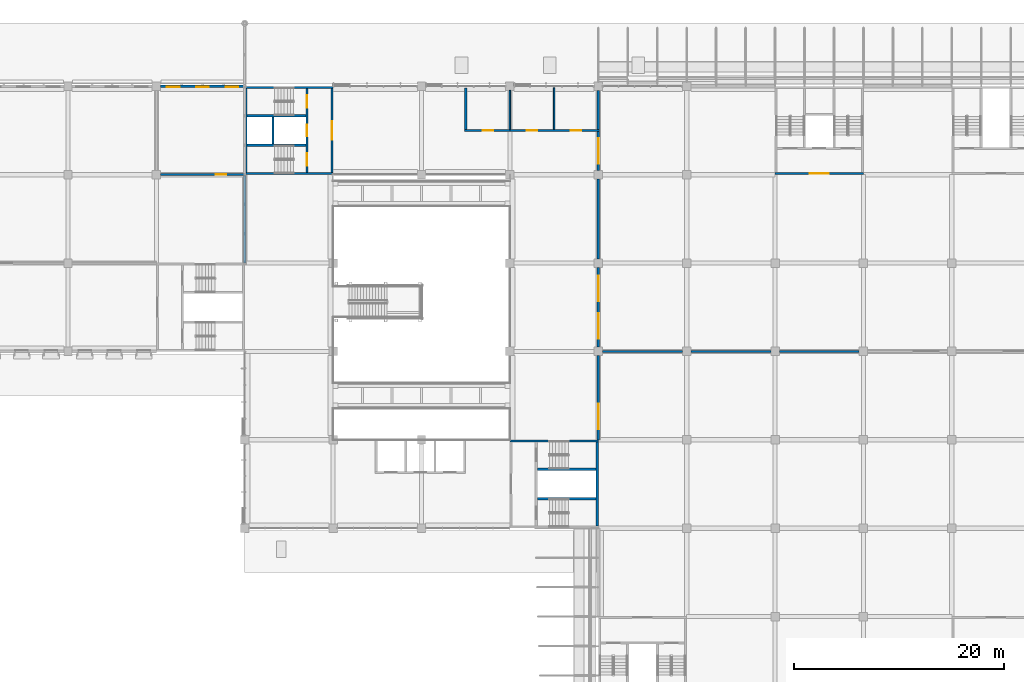
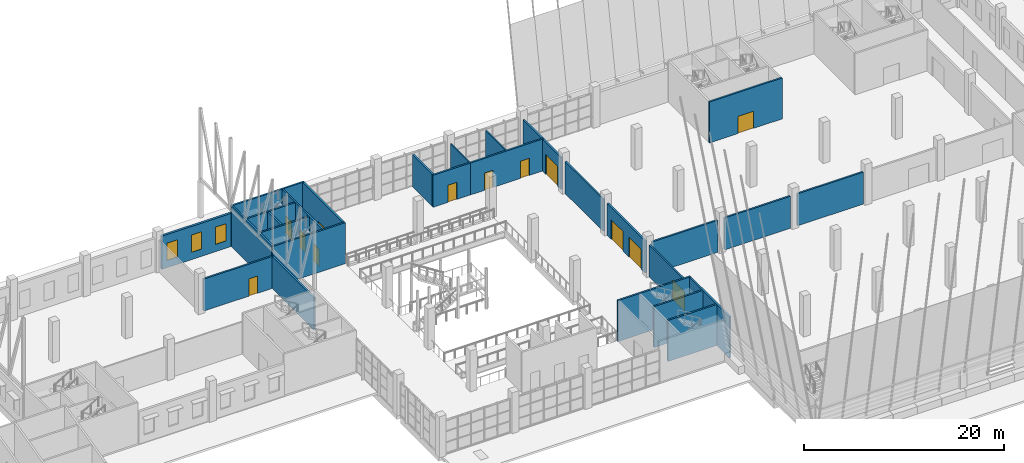
# One storey, part 37 of 101: 29 walls, 13 doors, 3 windows, 16 openings.
"""IFC4 building model written with IfcOpenShell, lengths in metres."""

from ifc_helpers import new_model, si_unit, direction, frame, frame_2d, origin, place, context, subcontext, project, spatial, rectangle, extrude, material, layer, layer_set, type_object, element, fill, save


model = new_model("IFC4")

# Units and contexts
model_context = context("Model", 3, precision=1e-05, world=origin(), true_north=direction((0.0, 1.0)))
body_context = subcontext(model_context, "Body", "Model", "MODEL_VIEW")
ifc_project = project(units=[si_unit("LENGTHUNIT", "METRE"), si_unit("AREAUNIT", "SQUARE_METRE"), si_unit("VOLUMEUNIT", "CUBIC_METRE"), si_unit("PLANEANGLEUNIT", "RADIAN"), si_unit("MASSUNIT", "GRAM", prefix="KILO")], contexts=[model_context])

# Site, building, storey
site_placement = place(None, origin())
site = spatial("IfcSite", under=ifc_project, at=site_placement, CompositionType="ELEMENT")
building_placement = place(site_placement, origin())
building = spatial("IfcBuilding", under=site, at=building_placement, Name="Almond Square Museum", CompositionType="ELEMENT")
storey_placement = place(building_placement, frame((0.0, 0.0, 5.5)))
storey = spatial("IfcBuildingStorey", under=building, at=storey_placement, Name="L01", CompositionType="ELEMENT", Elevation=5.5)

# Wall, opening, door
ifc_material_1 = material(Name="Concrete blockwork 200", Category="masonry")
ifc_layer_1 = layer(ifc_material_1, 0.199951171875)
ifc_layer_set_1 = layer_set([ifc_layer_1], Name="Concrete blockwork 200")
wall_type_1 = type_object("IfcWallType", Name="Fire partition 200 blockwork", PredefinedType="PARTITIONING", material=ifc_layer_set_1)
wall_1_placement = place(storey_placement, frame((65.199951171875, 100.800048828125, 0.0), z_axis=(0.0, 0.0, 1.0), x_axis=(1.0, 0.0, 0.0)))
wall_1 = element("IfcWall", 1, at=wall_1_placement, inside=storey, type_object=wall_type_1, Name="L01 partition 1", PredefinedType="PARTITIONING", context=body_context, shape_type="SweptSolid", body=[
    extrude(rectangle(XDim=8.10009765625, YDim=0.199951171875, at=frame_2d((4.050048828125, 0.0))), origin(), (0.0, 0.0, 1.0), 3.89990234375),
])
opening_1_placement = place(wall_1_placement, frame((5.22509765625, 0.0, 0.0)))
opening_1 = element("IfcOpeningElement", 2, at=opening_1_placement, cuts=wall_1, Name="Opening D1101", PredefinedType="OPENING", context=body_context, shape_type="SweptSolid", body=[
    extrude(rectangle(XDim=1.0, YDim=2.10009765625, at=frame_2d((0.5, 1.050048828125))), frame((0.0, 0.10986328125, 0.0), z_axis=(0.0, -1.0, 0.0), x_axis=(1.0, 0.0, 0.0)), (0.0, 0.0, 1.0), 0.219970703125),
])
ifc_material_2 = material(Name="Steel", Category="steel")
door_type_1 = type_object("IfcDoorType", Name="Fire door 1000 x 2100 FD60 single", OperationType="NOTDEFINED", PredefinedType="DOOR", material=ifc_material_2)
door_1_placement = place(opening_1_placement, origin())
door_1 = element("IfcDoor", 3, at=door_1_placement, inside=storey, type_object=door_type_1, Name="L01 door Court Cafe Kitchen to Court Cafe", OperationType="SINGLE_SWING_LEFT", OverallHeight=2.10009765625, OverallWidth=1.0, PredefinedType="DOOR", context=body_context, shape_type="SweptSolid", body=[
    extrude(rectangle(XDim=1.0, YDim=2.10009765625, at=frame_2d((0.5, 1.050048828125))), frame((0.0, 0.02490234375, 0.0), z_axis=(0.0, -1.0, 0.0), x_axis=(1.0, 0.0, 0.0)), (0.0, 0.0, 1.0), 0.050048828125),
])
fill(opening_1, door_1)

# Wall
wall_2_placement = place(storey_placement, frame((94.199951171875, 105.10009765625, 0.0), z_axis=(0.0, 0.0, 1.0), x_axis=(0.0, 1.0, 0.0)))
element("IfcWall", 4, at=wall_2_placement, inside=storey, type_object=wall_type_1, Name="L01 partition 3", PredefinedType="PARTITIONING", context=body_context, shape_type="SweptSolid", body=[
    extrude(rectangle(XDim=3.949951171875, YDim=0.199951171875, at=frame_2d((1.97509765625, 0.0))), origin(), (0.0, 0.0, 1.0), 3.89990234375),
])

# Wall, opening, door
wall_3_placement = place(storey_placement, frame((94.10009765625, 105.0, 0.0), z_axis=(0.0, 0.0, 1.0), x_axis=(1.0, 0.0, 0.0)))
wall_3 = element("IfcWall", 5, at=wall_3_placement, inside=storey, type_object=wall_type_1, Name="L01 partition 4", PredefinedType="PARTITIONING", context=body_context, shape_type="SweptSolid", body=[
    extrude(rectangle(XDim=4.2998046875, YDim=0.199951171875, at=frame_2d((2.14990234375, 0.0))), origin(), (0.0, 0.0, 1.0), 3.89990234375),
])
opening_2_placement = place(wall_3_placement, frame((1.71240234375, 0.0, 0.0)))
opening_2 = element("IfcOpeningElement", 6, at=opening_2_placement, cuts=wall_3, Name="Opening D1102", PredefinedType="OPENING", context=body_context, shape_type="SweptSolid", body=[
    extrude(rectangle(XDim=1.0, YDim=2.10009765625, at=frame_2d((0.5, 1.050048828125))), frame((0.0, 0.10986328125, 0.0), z_axis=(0.0, -1.0, 0.0), x_axis=(1.0, 0.0, 0.0)), (0.0, 0.0, 1.0), 0.219970703125),
])
door_2_placement = place(opening_2_placement, origin())
door_2 = element("IfcDoor", 7, at=door_2_placement, inside=storey, type_object=door_type_1, Name="L01 door Women's WC 1 to Atrium Rim Lobby 1", OperationType="SINGLE_SWING_LEFT", OverallHeight=2.10009765625, OverallWidth=1.0, PredefinedType="DOOR", context=body_context, shape_type="SweptSolid", body=[
    extrude(rectangle(XDim=1.0, YDim=2.10009765625, at=frame_2d((0.5, 1.050048828125))), frame((0.0, 0.02490234375, 0.0), z_axis=(0.0, -1.0, 0.0), x_axis=(1.0, 0.0, 0.0)), (0.0, 0.0, 1.0), 0.050048828125),
])
fill(opening_2, door_2)

# Wall, openings, doors
wall_4_placement = place(storey_placement, frame((98.39990234375, 105.0, 0.0), z_axis=(0.0, 0.0, 1.0), x_axis=(1.0, 0.0, 0.0)))
wall_4 = element("IfcWall", 8, at=wall_4_placement, inside=storey, type_object=wall_type_1, Name="L01 partition 5", PredefinedType="PARTITIONING", context=body_context, shape_type="SweptSolid", body=[
    extrude(rectangle(XDim=8.5, YDim=0.199951171875, at=frame_2d((4.25, 0.0))), origin(), (0.0, 0.0, 1.0), 3.89990234375),
])
opening_3_placement = place(wall_4_placement, frame((1.60009765625, 0.0, 0.0)))
opening_3 = element("IfcOpeningElement", 9, at=opening_3_placement, cuts=wall_4, Name="Opening D1103", PredefinedType="OPENING", context=body_context, shape_type="SweptSolid", body=[
    extrude(rectangle(XDim=1.0, YDim=2.10009765625, at=frame_2d((0.5, 1.050048828125))), frame((0.0, 0.10986328125, 0.0), z_axis=(0.0, -1.0, 0.0), x_axis=(1.0, 0.0, 0.0)), (0.0, 0.0, 1.0), 0.219970703125),
])
opening_4_placement = place(wall_4_placement, frame((5.78759765625, 0.0, 0.0)))
opening_4 = element("IfcOpeningElement", 10, at=opening_4_placement, cuts=wall_4, Name="Opening D1104", PredefinedType="OPENING", context=body_context, shape_type="SweptSolid", body=[
    extrude(rectangle(XDim=1.0, YDim=2.10009765625, at=frame_2d((0.5, 1.050048828125))), frame((0.0, 0.10986328125, 0.0), z_axis=(0.0, -1.0, 0.0), x_axis=(1.0, 0.0, 0.0)), (0.0, 0.0, 1.0), 0.219970703125),
])
door_3_placement = place(opening_3_placement, origin())
door_3 = element("IfcDoor", 11, at=door_3_placement, inside=storey, type_object=door_type_1, Name="L01 door Men's WC 1 to Atrium Rim Lobby 1", OperationType="SINGLE_SWING_RIGHT", OverallHeight=2.10009765625, OverallWidth=1.0, PredefinedType="DOOR", context=body_context, shape_type="SweptSolid", body=[
    extrude(rectangle(XDim=1.0, YDim=2.10009765625, at=frame_2d((0.5, 1.050048828125))), frame((0.0, 0.02490234375, 0.0), z_axis=(0.0, -1.0, 0.0), x_axis=(1.0, 0.0, 0.0)), (0.0, 0.0, 1.0), 0.050048828125),
])
fill(opening_3, door_3)
door_4_placement = place(opening_4_placement, origin())
door_4 = element("IfcDoor", 12, at=door_4_placement, inside=storey, type_object=door_type_1, Name="L01 door Accessible WC 1 to Atrium Rim Lobby 1", OperationType="SINGLE_SWING_LEFT", OverallHeight=2.10009765625, OverallWidth=1.0, PredefinedType="DOOR", context=body_context, shape_type="SweptSolid", body=[
    extrude(rectangle(XDim=1.0, YDim=2.10009765625, at=frame_2d((0.5, 1.050048828125))), frame((0.0, 0.02490234375, 0.0), z_axis=(0.0, -1.0, 0.0), x_axis=(1.0, 0.0, 0.0)), (0.0, 0.0, 1.0), 0.050048828125),
])
fill(opening_4, door_4)

# Wall, opening, door
wall_5_placement = place(storey_placement, frame((106.800048828125, 101.199951171875, 0.0), z_axis=(0.0, 0.0, 1.0), x_axis=(0.0, 1.0, 0.0)))
wall_5 = element("IfcWall", 13, at=wall_5_placement, inside=storey, type_object=wall_type_1, Name="L01 partition 6", PredefinedType="PARTITIONING", context=body_context, shape_type="SweptSolid", body=[
    extrude(rectangle(XDim=3.699951171875, YDim=0.199951171875, at=frame_2d((1.85009765625, 0.0))), origin(), (0.0, 0.0, 1.0), 3.89990234375),
])
opening_5_placement = place(wall_5_placement, frame((0.64990234375, 0.0, 0.0)))
opening_5 = element("IfcOpeningElement", 14, at=opening_5_placement, cuts=wall_5, Name="Opening D1141", PredefinedType="OPENING", context=body_context, shape_type="SweptSolid", body=[
    extrude(rectangle(XDim=2.39990234375, YDim=2.39990234375, at=frame_2d((1.199951171875, 1.199951171875))), frame((0.0, 0.10986328125, 0.0), z_axis=(0.0, -1.0, 0.0), x_axis=(1.0, 0.0, 0.0)), (0.0, 0.0, 1.0), 0.219970703125),
])
ifc_material_3 = material(Name="Steel", Category="steel")
door_type_2 = type_object("IfcDoorType", Name="Fire door 2400 x 2400 FD60 double", OperationType="NOTDEFINED", PredefinedType="DOOR", material=ifc_material_3)
door_5_placement = place(opening_5_placement, origin())
door_5 = element("IfcDoor", 15, at=door_5_placement, inside=storey, type_object=door_type_2, Name="L01 door Atrium Rim Lobby 1 to Textile Gallery", OperationType="DOUBLE_DOOR_SINGLE_SWING", OverallHeight=2.39990234375, OverallWidth=2.39990234375, PredefinedType="DOOR", context=body_context, shape_type="SweptSolid", body=[
    extrude(rectangle(XDim=2.39990234375, YDim=2.39990234375, at=frame_2d((1.199951171875, 1.199951171875))), frame((0.0, 0.02490234375, 0.0), z_axis=(0.0, -1.0, 0.0), x_axis=(1.0, 0.0, 0.0)), (0.0, 0.0, 1.0), 0.050048828125),
])
fill(opening_5, door_5)

# Walls
ifc_material_4 = material(Name="Painted gypsum board on steel stud", Category="steel")
ifc_layer_2 = layer(ifc_material_4, 0.199951171875)
ifc_layer_set_2 = layer_set([ifc_layer_2], Name="Painted gypsum board on steel stud")
wall_type_2 = type_object("IfcWallType", Name="Gallery wall 200 painted board on stud", PredefinedType="PARTITIONING", material=ifc_layer_set_2)
wall_6_placement = place(storey_placement, frame((106.800048828125, 105.10009765625, 0.0), z_axis=(0.0, 0.0, 1.0), x_axis=(0.0, 1.0, 0.0)))
element("IfcWall", 16, at=wall_6_placement, inside=storey, type_object=wall_type_2, Name="L01 partition 9", PredefinedType="PARTITIONING", context=body_context, shape_type="SweptSolid", body=[
    extrude(rectangle(XDim=3.699951171875, YDim=0.199951171875, at=frame_2d((1.85009765625, 0.0))), origin(), (0.0, 0.0, 1.0), 3.89990234375),
])
wall_7_placement = place(storey_placement, frame((73.199951171875, 92.39990234375, 0.0), z_axis=(0.0, 0.0, 1.0), x_axis=(0.0, 1.0, 0.0)))
element("IfcWall", 17, at=wall_7_placement, inside=storey, type_object=wall_type_2, Name="L01 partition 12", PredefinedType="PARTITIONING", context=body_context, shape_type="SweptSolid", body=[
    extrude(rectangle(XDim=8.300048828125, YDim=0.199951171875, at=frame_2d((4.14990234375, 0.0))), origin(), (0.0, 0.0, 1.0), 3.89990234375),
])

# Wall, openings, doors
wall_8_placement = place(storey_placement, frame((106.800048828125, 84.39990234375, 0.0), z_axis=(0.0, 0.0, 1.0), x_axis=(0.0, 1.0, 0.0)))
wall_8 = element("IfcWall", 18, at=wall_8_placement, inside=storey, type_object=wall_type_2, Name="L01 partition 19", PredefinedType="PARTITIONING", context=body_context, shape_type="SweptSolid", body=[
    extrude(rectangle(XDim=7.60009765625, YDim=0.199951171875, at=frame_2d((3.800048828125, 0.0))), origin(), (0.0, 0.0, 1.0), 3.89990234375),
])
opening_6_placement = place(wall_8_placement, frame((0.824951171875, 0.0, 0.0)))
opening_6 = element("IfcOpeningElement", 19, at=opening_6_placement, cuts=wall_8, Name="Opening D1144", PredefinedType="OPENING", context=body_context, shape_type="SweptSolid", body=[
    extrude(rectangle(XDim=2.39990234375, YDim=2.39990234375, at=frame_2d((1.199951171875, 1.199951171875))), frame((0.0, 0.10986328125, 0.0), z_axis=(0.0, -1.0, 0.0), x_axis=(1.0, 0.0, 0.0)), (0.0, 0.0, 1.0), 0.219970703125),
])
opening_7_placement = place(wall_8_placement, frame((4.375, 0.0, 0.0)))
opening_7 = element("IfcOpeningElement", 20, at=opening_7_placement, cuts=wall_8, Name="Opening D1145", PredefinedType="OPENING", context=body_context, shape_type="SweptSolid", body=[
    extrude(rectangle(XDim=2.39990234375, YDim=2.39990234375, at=frame_2d((1.199951171875, 1.199951171875))), frame((0.0, 0.10986328125, 0.0), z_axis=(0.0, -1.0, 0.0), x_axis=(1.0, 0.0, 0.0)), (0.0, 0.0, 1.0), 0.219970703125),
])
ifc_material_5 = material(Name="Timber", Category="wood")
door_type_3 = type_object("IfcDoorType", Name="Gallery door 2400 x 2400 timber double", OperationType="NOTDEFINED", PredefinedType="DOOR", material=ifc_material_5)
door_6_placement = place(opening_6_placement, origin())
door_6 = element("IfcDoor", 21, at=door_6_placement, inside=storey, type_object=door_type_3, Name="L01 door Textile Gallery to Atrium Gallery 2", OperationType="DOUBLE_DOOR_SINGLE_SWING", OverallHeight=2.39990234375, OverallWidth=2.39990234375, PredefinedType="DOOR", context=body_context, shape_type="SweptSolid", body=[
    extrude(rectangle(XDim=2.39990234375, YDim=2.39990234375, at=frame_2d((1.199951171875, 1.199951171875))), frame((0.0, 0.02490234375, 0.0), z_axis=(0.0, -1.0, 0.0), x_axis=(1.0, 0.0, 0.0)), (0.0, 0.0, 1.0), 0.050048828125),
])
fill(opening_6, door_6)
door_7_placement = place(opening_7_placement, origin())
door_7 = element("IfcDoor", 22, at=door_7_placement, inside=storey, type_object=door_type_3, Name="L01 door Textile Gallery to Atrium Gallery 2", OperationType="DOUBLE_DOOR_SINGLE_SWING", OverallHeight=2.39990234375, OverallWidth=2.39990234375, PredefinedType="DOOR", context=body_context, shape_type="SweptSolid", body=[
    extrude(rectangle(XDim=2.39990234375, YDim=2.39990234375, at=frame_2d((1.199951171875, 1.199951171875))), frame((0.0, 0.02490234375, 0.0), z_axis=(0.0, -1.0, 0.0), x_axis=(1.0, 0.0, 0.0)), (0.0, 0.0, 1.0), 0.050048828125),
])
fill(opening_7, door_7)

# Walls
wall_9_placement = place(storey_placement, frame((106.800048828125, 92.800048828125, 0.0), z_axis=(0.0, 0.0, 1.0), x_axis=(0.0, 1.0, 0.0)))
element("IfcWall", 23, at=wall_9_placement, inside=storey, type_object=wall_type_2, Name="L01 partition 20", PredefinedType="PARTITIONING", context=body_context, shape_type="SweptSolid", body=[
    extrude(rectangle(XDim=7.599853515625, YDim=0.199951171875, at=frame_2d((3.7998046875, 0.0))), origin(), (0.0, 0.0, 1.0), 3.89990234375),
])
wall_10_placement = place(storey_placement, frame((107.199951171875, 84.0, 0.0), z_axis=(0.0, 0.0, 1.0), x_axis=(1.0, 0.0, 0.0)))
element("IfcWall", 24, at=wall_10_placement, inside=storey, type_object=wall_type_2, Name="L01 partition 21", PredefinedType="PARTITIONING", context=body_context, shape_type="SweptSolid", body=[
    extrude(rectangle(XDim=7.60009765625, YDim=0.199951171875, at=frame_2d((3.800048828125, 0.0))), origin(), (0.0, 0.0, 1.0), 3.89990234375),
])
wall_11_placement = place(storey_placement, frame((115.60009765625, 84.0, 0.0), z_axis=(0.0, 0.0, 1.0), x_axis=(1.0, 0.0, 0.0)))
element("IfcWall", 25, at=wall_11_placement, inside=storey, type_object=wall_type_2, Name="L01 partition 22", PredefinedType="PARTITIONING", context=body_context, shape_type="SweptSolid", body=[
    extrude(rectangle(XDim=7.599853515625, YDim=0.199951171875, at=frame_2d((3.7998046875, 0.0))), origin(), (0.0, 0.0, 1.0), 3.89990234375),
])
wall_12_placement = place(storey_placement, frame((124.0, 84.0, 0.0), z_axis=(0.0, 0.0, 1.0), x_axis=(1.0, 0.0, 0.0)))
element("IfcWall", 26, at=wall_12_placement, inside=storey, type_object=wall_type_2, Name="L01 partition 23", PredefinedType="PARTITIONING", context=body_context, shape_type="SweptSolid", body=[
    extrude(rectangle(XDim=7.60009765625, YDim=0.199951171875, at=frame_2d((3.800048828125, 0.0))), origin(), (0.0, 0.0, 1.0), 3.89990234375),
])

# Wall, opening, door
wall_13_placement = place(storey_placement, frame((106.800048828125, 75.60009765625, 0.0), z_axis=(0.0, 0.0, 1.0), x_axis=(0.0, 1.0, 0.0)))
wall_13 = element("IfcWall", 27, at=wall_13_placement, inside=storey, type_object=wall_type_2, Name="L01 partition 26", PredefinedType="PARTITIONING", context=body_context, shape_type="SweptSolid", body=[
    extrude(rectangle(XDim=8.0, YDim=0.199951171875, at=frame_2d((4.0, 0.0))), origin(), (0.0, 0.0, 1.0), 3.89990234375),
])
opening_8_placement = place(wall_13_placement, frame((1.02490234375, 0.0, 0.0)))
opening_8 = element("IfcOpeningElement", 28, at=opening_8_placement, cuts=wall_13, Name="Opening D1148", PredefinedType="OPENING", context=body_context, shape_type="SweptSolid", body=[
    extrude(rectangle(XDim=2.39990234375, YDim=2.39990234375, at=frame_2d((1.199951171875, 1.199951171875))), frame((0.0, 0.10986328125, 0.0), z_axis=(0.0, -1.0, 0.0), x_axis=(1.0, 0.0, 0.0)), (0.0, 0.0, 1.0), 0.219970703125),
])
door_8_placement = place(opening_8_placement, origin())
door_8 = element("IfcDoor", 29, at=door_8_placement, inside=storey, type_object=door_type_3, Name="L01 door Atrium Gallery 2 to Collection Gallery", OperationType="DOUBLE_DOOR_SINGLE_SWING", OverallHeight=2.39990234375, OverallWidth=2.39990234375, PredefinedType="DOOR", context=body_context, shape_type="SweptSolid", body=[
    extrude(rectangle(XDim=2.39990234375, YDim=2.39990234375, at=frame_2d((1.199951171875, 1.199951171875))), frame((0.0, 0.02490234375, 0.0), z_axis=(0.0, -1.0, 0.0), x_axis=(1.0, 0.0, 0.0)), (0.0, 0.0, 1.0), 0.050048828125),
])
fill(opening_8, door_8)

# Walls
ifc_material_6 = material(Name="Plasterboard on steel stud", Category="steel")
ifc_layer_3 = layer(ifc_material_6, 0.14990234375)
ifc_layer_set_3 = layer_set([ifc_layer_3], Name="Plasterboard on steel stud")
wall_type_3 = type_object("IfcWallType", Name="Partition 150 plasterboard on steel stud", PredefinedType="PARTITIONING", material=ifc_layer_set_3)
wall_14_placement = place(storey_placement, frame((98.39990234375, 105.10009765625, 0.0), z_axis=(0.0, 0.0, 1.0), x_axis=(0.0, 1.0, 0.0)))
element("IfcWall", 30, at=wall_14_placement, inside=storey, type_object=wall_type_3, Name="L01 partition 7", PredefinedType="PARTITIONING", context=body_context, shape_type="SweptSolid", body=[
    extrude(rectangle(XDim=3.699951171875, YDim=0.14990234375, at=frame_2d((1.85009765625, 0.0))), origin(), (0.0, 0.0, 1.0), 3.89990234375),
])
wall_15_placement = place(storey_placement, frame((102.60009765625, 105.10009765625, 0.0), z_axis=(0.0, 0.0, 1.0), x_axis=(0.0, 1.0, 0.0)))
element("IfcWall", 31, at=wall_15_placement, inside=storey, type_object=wall_type_3, Name="L01 partition 8", PredefinedType="PARTITIONING", context=body_context, shape_type="SweptSolid", body=[
    extrude(rectangle(XDim=3.949951171875, YDim=0.14990234375, at=frame_2d((1.97509765625, 0.0))), origin(), (0.0, 0.0, 1.0), 3.89990234375),
])

# Wall, openings, windows
ifc_material_7 = material(Name="Precast concrete C40/50", Category="concrete")
ifc_layer_4 = layer(ifc_material_7, 0.25)
ifc_layer_set_4 = layer_set([ifc_layer_4], Name="Precast concrete C40/50")
wall_type_4 = type_object("IfcWallType", Name="Precast concrete panel wall 250 with coral limestone piers", PredefinedType="SOLIDWALL", material=ifc_layer_set_4)
wall_16_placement = place(storey_placement, frame((65.199951171875, 109.199951171875, 0.0), z_axis=(0.0, 0.0, 1.0), x_axis=(1.0, 0.0, 0.0)))
wall_16 = element("IfcWall", 32, at=wall_16_placement, inside=storey, type_object=wall_type_4, Name="External wall W2 V4N L01 N01", PredefinedType="SOLIDWALL", context=body_context, shape_type="SweptSolid", body=[
    extrude(rectangle(XDim=8.0, YDim=0.25, at=frame_2d((4.0, 0.0))), origin(), (0.0, 0.0, 1.0), 4.050048828125),
])
opening_9_placement = place(wall_16_placement, frame((0.60009765625, 0.0, 0.89990234375)))
opening_9 = element("IfcOpeningElement", 33, at=opening_9_placement, cuts=wall_16, Name="Opening W1084", PredefinedType="OPENING", context=body_context, shape_type="SweptSolid", body=[
    extrude(rectangle(XDim=1.199951171875, YDim=2.10009765625, at=frame_2d((0.60009765625, 1.050048828125))), frame((0.0, 0.135009765625, 0.0), z_axis=(0.0, -1.0, 0.0), x_axis=(1.0, 0.0, 0.0)), (0.0, 0.0, 1.0), 0.27001953125),
])
opening_10_placement = place(wall_16_placement, frame((3.39990234375, 0.0, 0.89990234375)))
opening_10 = element("IfcOpeningElement", 34, at=opening_10_placement, cuts=wall_16, Name="Opening W1085", PredefinedType="OPENING", context=body_context, shape_type="SweptSolid", body=[
    extrude(rectangle(XDim=1.199951171875, YDim=2.10009765625, at=frame_2d((0.60009765625, 1.050048828125))), frame((0.0, 0.135009765625, 0.0), z_axis=(0.0, -1.0, 0.0), x_axis=(1.0, 0.0, 0.0)), (0.0, 0.0, 1.0), 0.27001953125),
])
opening_11_placement = place(wall_16_placement, frame((6.199951171875, 0.0, 0.89990234375)))
opening_11 = element("IfcOpeningElement", 35, at=opening_11_placement, cuts=wall_16, Name="Opening W1086", PredefinedType="OPENING", context=body_context, shape_type="SweptSolid", body=[
    extrude(rectangle(XDim=1.199951171875, YDim=2.10009765625, at=frame_2d((0.60009765625, 1.050048828125))), frame((0.0, 0.135009765625, 0.0), z_axis=(0.0, -1.0, 0.0), x_axis=(1.0, 0.0, 0.0)), (0.0, 0.0, 1.0), 0.27001953125),
])
ifc_material_8 = material(Name="Anodised aluminium louvre and laminated glass", Category="aluminium")
window_type = type_object("IfcWindowType", Name="Louvred pier window", PartitioningType="SINGLE_PANEL", PredefinedType="WINDOW", material=ifc_material_8)
window_1_placement = place(opening_9_placement, origin())
window_1 = element("IfcWindow", 36, at=window_1_placement, inside=storey, type_object=window_type, Name="Louvred pier window W1084", OverallHeight=2.10009765625, OverallWidth=1.199951171875, PartitioningType="SINGLE_PANEL", PredefinedType="WINDOW", context=body_context, shape_type="SweptSolid", body=[
    extrude(rectangle(XDim=1.199951171875, YDim=2.10009765625, at=frame_2d((0.60009765625, 1.050048828125))), frame((0.0, -0.044921875, 0.0), z_axis=(0.0, -1.0, 0.0), x_axis=(1.0, 0.0, 0.0)), (0.0, 0.0, 1.0), 0.06005859375),
])
fill(opening_9, window_1)
window_2_placement = place(opening_10_placement, origin())
window_2 = element("IfcWindow", 37, at=window_2_placement, inside=storey, type_object=window_type, Name="Louvred pier window W1085", OverallHeight=2.10009765625, OverallWidth=1.199951171875, PartitioningType="SINGLE_PANEL", PredefinedType="WINDOW", context=body_context, shape_type="SweptSolid", body=[
    extrude(rectangle(XDim=1.199951171875, YDim=2.10009765625, at=frame_2d((0.60009765625, 1.050048828125))), frame((0.0, -0.044921875, 0.0), z_axis=(0.0, -1.0, 0.0), x_axis=(1.0, 0.0, 0.0)), (0.0, 0.0, 1.0), 0.06005859375),
])
fill(opening_10, window_2)
window_3_placement = place(opening_11_placement, origin())
window_3 = element("IfcWindow", 38, at=window_3_placement, inside=storey, type_object=window_type, Name="Louvred pier window W1086", OverallHeight=2.10009765625, OverallWidth=1.199951171875, PartitioningType="SINGLE_PANEL", PredefinedType="WINDOW", context=body_context, shape_type="SweptSolid", body=[
    extrude(rectangle(XDim=1.199951171875, YDim=2.10009765625, at=frame_2d((0.60009765625, 1.050048828125))), frame((0.0, -0.044921875, 0.0), z_axis=(0.0, -1.0, 0.0), x_axis=(1.0, 0.0, 0.0)), (0.0, 0.0, 1.0), 0.06005859375),
])
fill(opening_11, window_3)

# Wall, opening, door
ifc_material_9 = material(Name="Concrete C40/50", Category="concrete")
ifc_layer_5 = layer(ifc_material_9, 0.199951171875)
ifc_layer_set_5 = layer_set([ifc_layer_5], Name="Concrete C40/50")
wall_type_5 = type_object("IfcWallType", Name="RC shear wall 200 C40/50", PredefinedType="SHEAR", material=ifc_layer_set_5)
wall_17_placement = place(storey_placement, frame((123.60009765625, 100.89990234375, 0.0), z_axis=(0.0, 0.0, 1.0), x_axis=(1.0, 0.0, 0.0)))
wall_17 = element("IfcWall", 39, at=wall_17_placement, inside=storey, type_object=wall_type_5, Name="Core H4 south wall L01", PredefinedType="SHEAR", context=body_context, shape_type="SweptSolid", body=[
    extrude(rectangle(XDim=8.39990234375, YDim=0.199951171875, at=frame_2d((4.199951171875, 0.0))), origin(), (0.0, 0.0, 1.0), 5.0),
])
opening_12_placement = place(wall_17_placement, frame((3.300048828125, 0.0, 0.0)))
opening_12 = element("IfcOpeningElement", 40, at=opening_12_placement, cuts=wall_17, Name="Opening D1161", PredefinedType="OPENING", context=body_context, shape_type="SweptSolid", body=[
    extrude(rectangle(XDim=1.800048828125, YDim=2.10009765625, at=frame_2d((0.89990234375, 1.050048828125))), frame((0.0, 0.10986328125, 0.0), z_axis=(0.0, -1.0, 0.0), x_axis=(1.0, 0.0, 0.0)), (0.0, 0.0, 1.0), 0.219970703125),
])
ifc_material_10 = material(Name="Steel", Category="steel")
door_type_4 = type_object("IfcDoorType", Name="Fire door 1800 x 2100 FD60 double", OperationType="NOTDEFINED", PredefinedType="DOOR", material=ifc_material_10)
door_9_placement = place(opening_12_placement, origin())
door_9 = element("IfcDoor", 41, at=door_9_placement, inside=storey, type_object=door_type_4, Name="L01 stair core H4 lobby door", OperationType="DOUBLE_DOOR_SINGLE_SWING", OverallHeight=2.10009765625, OverallWidth=1.800048828125, PredefinedType="DOOR", context=body_context, shape_type="SweptSolid", body=[
    extrude(rectangle(XDim=1.800048828125, YDim=2.10009765625, at=frame_2d((0.89990234375, 1.050048828125))), frame((0.0, 0.02490234375, 0.0), z_axis=(0.0, -1.0, 0.0), x_axis=(1.0, 0.0, 0.0)), (0.0, 0.0, 1.0), 0.050048828125),
])
fill(opening_12, door_9)

# Walls
for number, where, z_axis, x_axis, name in (
    (42, (73.199951171875, 100.89990234375, 0.0), (0.0, 0.0, 1.0), (1.0, 0.0, 0.0), "Core A1 south wall L01"),
    (43, (73.199951171875, 109.10009765625, 0.0), (0.0, 0.0, 1.0), (1.0, 0.0, 0.0), "Core A1 north wall L01"),
):
    element("IfcWall", number, at=place(storey_placement, frame(where, z_axis=z_axis, x_axis=x_axis)), inside=storey, type_object=wall_type_5, Name=name, PredefinedType="SHEAR", context=body_context, shape_type="SweptSolid", body=[
        extrude(rectangle(XDim=8.400146484375, YDim=0.199951171875, at=frame_2d((4.2001953125, 0.0))), origin(), (0.0, 0.0, 1.0), 5.0),
    ])
wall_18_placement = place(storey_placement, frame((73.300048828125, 101.0, 0.0), z_axis=(0.0, 0.0, 1.0), x_axis=(0.0, 1.0, 0.0)))
element("IfcWall", 44, at=wall_18_placement, inside=storey, type_object=wall_type_5, Name="Core A1 west wall L01", PredefinedType="SHEAR", context=body_context, shape_type="SweptSolid", body=[
    extrude(rectangle(XDim=8.0, YDim=0.199951171875, at=frame_2d((4.0, 0.0))), origin(), (0.0, 0.0, 1.0), 5.0),
])

# Wall, opening, door
wall_19_placement = place(storey_placement, frame((81.5, 101.0, 0.0), z_axis=(0.0, 0.0, 1.0), x_axis=(0.0, 1.0, 0.0)))
wall_19 = element("IfcWall", 45, at=wall_19_placement, inside=storey, type_object=wall_type_5, Name="Core A1 east wall L01", PredefinedType="SHEAR", context=body_context, shape_type="SweptSolid", body=[
    extrude(rectangle(XDim=8.0, YDim=0.199951171875, at=frame_2d((4.0, 0.0))), origin(), (0.0, 0.0, 1.0), 5.0),
])
opening_13_placement = place(wall_19_placement, frame((3.10009765625, 0.0, 0.0)))
opening_13 = element("IfcOpeningElement", 46, at=opening_13_placement, cuts=wall_19, Name="Opening D1165", PredefinedType="OPENING", context=body_context, shape_type="SweptSolid", body=[
    extrude(rectangle(XDim=1.800048828125, YDim=2.10009765625, at=frame_2d((0.89990234375, 1.050048828125))), frame((0.0, 0.10986328125, 0.0), z_axis=(0.0, -1.0, 0.0), x_axis=(1.0, 0.0, 0.0)), (0.0, 0.0, 1.0), 0.219970703125),
])
door_10_placement = place(opening_13_placement, origin())
door_10 = element("IfcDoor", 47, at=door_10_placement, inside=storey, type_object=door_type_4, Name="L01 stair core A1 lobby door", OperationType="DOUBLE_DOOR_SINGLE_SWING", OverallHeight=2.10009765625, OverallWidth=1.800048828125, PredefinedType="DOOR", context=body_context, shape_type="SweptSolid", body=[
    extrude(rectangle(XDim=1.800048828125, YDim=2.10009765625, at=frame_2d((0.89990234375, 1.050048828125))), frame((0.0, 0.02490234375, 0.0), z_axis=(0.0, -1.0, 0.0), x_axis=(1.0, 0.0, 0.0)), (0.0, 0.0, 1.0), 0.050048828125),
])
fill(opening_13, door_10)

# Wall, openings, doors
wall_20_placement = place(storey_placement, frame((79.10009765625, 101.0, 0.0), z_axis=(0.0, 0.0, 1.0), x_axis=(0.0, 1.0, 0.0)))
wall_20 = element("IfcWall", 48, at=wall_20_placement, inside=storey, type_object=wall_type_5, Name="Core A1 lobby wall L01", PredefinedType="SHEAR", context=body_context, shape_type="SweptSolid", body=[
    extrude(rectangle(XDim=8.0, YDim=0.199951171875, at=frame_2d((4.0, 0.0))), origin(), (0.0, 0.0, 1.0), 5.0),
])
opening_14_placement = place(wall_20_placement, frame((0.64990234375, 0.0, 0.0)))
opening_14 = element("IfcOpeningElement", 49, at=opening_14_placement, cuts=wall_20, Name="Opening D1166", PredefinedType="OPENING", context=body_context, shape_type="SweptSolid", body=[
    extrude(rectangle(XDim=1.199951171875, YDim=2.10009765625, at=frame_2d((0.60009765625, 1.050048828125))), frame((0.0, 0.10986328125, 0.0), z_axis=(0.0, -1.0, 0.0), x_axis=(1.0, 0.0, 0.0)), (0.0, 0.0, 1.0), 0.219970703125),
])
opening_15_placement = place(wall_20_placement, frame((6.14990234375, 0.0, 0.0)))
opening_15 = element("IfcOpeningElement", 50, at=opening_15_placement, cuts=wall_20, Name="Opening D1167", PredefinedType="OPENING", context=body_context, shape_type="SweptSolid", body=[
    extrude(rectangle(XDim=1.199951171875, YDim=2.10009765625, at=frame_2d((0.60009765625, 1.050048828125))), frame((0.0, 0.10986328125, 0.0), z_axis=(0.0, -1.0, 0.0), x_axis=(1.0, 0.0, 0.0)), (0.0, 0.0, 1.0), 0.219970703125),
])
opening_16_placement = place(wall_20_placement, frame((3.449951171875, 0.0, 0.0)))
opening_16 = element("IfcOpeningElement", 51, at=opening_16_placement, cuts=wall_20, Name="Opening D1168", PredefinedType="OPENING", context=body_context, shape_type="SweptSolid", body=[
    extrude(rectangle(XDim=1.10009765625, YDim=2.10009765625, at=frame_2d((0.550048828125, 1.050048828125))), frame((0.0, 0.10986328125, 0.0), z_axis=(0.0, -1.0, 0.0), x_axis=(1.0, 0.0, 0.0)), (0.0, 0.0, 1.0), 0.219970703125),
])
ifc_material_11 = material(Name="Steel", Category="steel")
door_type_5 = type_object("IfcDoorType", Name="Fire door 1200 x 2100 FD120 stair", OperationType="NOTDEFINED", PredefinedType="DOOR", material=ifc_material_11)
door_11_placement = place(opening_14_placement, origin())
door_11 = element("IfcDoor", 52, at=door_11_placement, inside=storey, type_object=door_type_5, Name="L01 stair A1-1 door", OperationType="SINGLE_SWING_LEFT", OverallHeight=2.10009765625, OverallWidth=1.199951171875, PredefinedType="DOOR", context=body_context, shape_type="SweptSolid", body=[
    extrude(rectangle(XDim=1.199951171875, YDim=2.10009765625, at=frame_2d((0.60009765625, 1.050048828125))), frame((0.0, 0.02490234375, 0.0), z_axis=(0.0, -1.0, 0.0), x_axis=(1.0, 0.0, 0.0)), (0.0, 0.0, 1.0), 0.050048828125),
])
fill(opening_14, door_11)
door_12_placement = place(opening_15_placement, origin())
door_12 = element("IfcDoor", 53, at=door_12_placement, inside=storey, type_object=door_type_5, Name="L01 stair A1-2 door", OperationType="SINGLE_SWING_RIGHT", OverallHeight=2.10009765625, OverallWidth=1.199951171875, PredefinedType="DOOR", context=body_context, shape_type="SweptSolid", body=[
    extrude(rectangle(XDim=1.199951171875, YDim=2.10009765625, at=frame_2d((0.60009765625, 1.050048828125))), frame((0.0, 0.02490234375, 0.0), z_axis=(0.0, -1.0, 0.0), x_axis=(1.0, 0.0, 0.0)), (0.0, 0.0, 1.0), 0.050048828125),
])
fill(opening_15, door_12)
ifc_material_12 = material(Name="Stainless steel", Category="steel")
door_type_6 = type_object("IfcDoorType", Name="Lift landing door 1100 x 2100", OperationType="NOTDEFINED", PredefinedType="DOOR", material=ifc_material_12)
door_13_placement = place(opening_16_placement, origin())
door_13 = element("IfcDoor", 54, at=door_13_placement, inside=storey, type_object=door_type_6, Name="L01 lift PL-A1 landing door", OperationType="DOUBLE_DOOR_SLIDING", OverallHeight=2.10009765625, OverallWidth=1.10009765625, PredefinedType="DOOR", context=body_context, shape_type="SweptSolid", body=[
    extrude(rectangle(XDim=1.10009765625, YDim=2.10009765625, at=frame_2d((0.550048828125, 1.050048828125))), frame((0.0, 0.02490234375, 0.0), z_axis=(0.0, -1.0, 0.0), x_axis=(1.0, 0.0, 0.0)), (0.0, 0.0, 1.0), 0.050048828125),
])
fill(opening_16, door_13)

# Walls
for number, where, z_axis, x_axis, name in (
    (55, (73.39990234375, 103.60009765625, 0.0), (0.0, 0.0, 1.0), (1.0, 0.0, 0.0), "Core A1 partition wall L01"),
    (56, (73.39990234375, 106.39990234375, 0.0), (0.0, 0.0, 1.0), (1.0, 0.0, 0.0), "Core A1 partition wall L01"),
):
    element("IfcWall", number, at=place(storey_placement, frame(where, z_axis=z_axis, x_axis=x_axis)), inside=storey, type_object=wall_type_5, Name=name, PredefinedType="SHEAR", context=body_context, shape_type="SweptSolid", body=[
        extrude(rectangle(XDim=5.60009765625, YDim=0.199951171875, at=frame_2d((2.800048828125, 0.0))), origin(), (0.0, 0.0, 1.0), 5.0),
    ])
wall_21_placement = place(storey_placement, frame((75.89990234375, 103.699951171875, 0.0), z_axis=(0.0, 0.0, 1.0), x_axis=(0.0, 1.0, 0.0)))
element("IfcWall", 57, at=wall_21_placement, inside=storey, type_object=wall_type_5, Name="Core A1 partition wall L01", PredefinedType="SHEAR", context=body_context, shape_type="SweptSolid", body=[
    extrude(rectangle(XDim=2.60009765625, YDim=0.199951171875, at=frame_2d((1.300048828125, 0.0))), origin(), (0.0, 0.0, 1.0), 5.0),
])
wall_22_placement = place(storey_placement, frame((98.39990234375, 75.5, 0.0), z_axis=(0.0, 0.0, 1.0), x_axis=(1.0, 0.0, 0.0)))
element("IfcWall", 58, at=wall_22_placement, inside=storey, type_object=wall_type_5, Name="Core A2 north wall L01", PredefinedType="SHEAR", context=body_context, shape_type="SweptSolid", body=[
    extrude(rectangle(XDim=8.400146484375, YDim=0.199951171875, at=frame_2d((4.2001953125, 0.0))), origin(), (0.0, 0.0, 1.0), 5.0),
])
wall_23_placement = place(storey_placement, frame((106.699951171875, 67.39990234375, 0.0), z_axis=(0.0, 0.0, 1.0), x_axis=(0.0, 1.0, 0.0)))
element("IfcWall", 59, at=wall_23_placement, inside=storey, type_object=wall_type_5, Name="Core A2 east wall L01", PredefinedType="SHEAR", context=body_context, shape_type="SweptSolid", body=[
    extrude(rectangle(XDim=8.0, YDim=0.199951171875, at=frame_2d((4.0, 0.0))), origin(), (0.0, 0.0, 1.0), 5.0),
])
for number, where, z_axis, x_axis, name in (
    (60, (101.0, 70.0, 0.0), (0.0, 0.0, 1.0), (1.0, 0.0, 0.0), "Core A2 partition wall L01"),
    (61, (101.0, 72.800048828125, 0.0), (0.0, 0.0, 1.0), (1.0, 0.0, 0.0), "Core A2 partition wall L01"),
):
    element("IfcWall", number, at=place(storey_placement, frame(where, z_axis=z_axis, x_axis=x_axis)), inside=storey, type_object=wall_type_5, Name=name, PredefinedType="SHEAR", context=body_context, shape_type="SweptSolid", body=[
        extrude(rectangle(XDim=5.60009765625, YDim=0.199951171875, at=frame_2d((2.800048828125, 0.0))), origin(), (0.0, 0.0, 1.0), 5.0),
    ])

save(model, "model.ifc")
